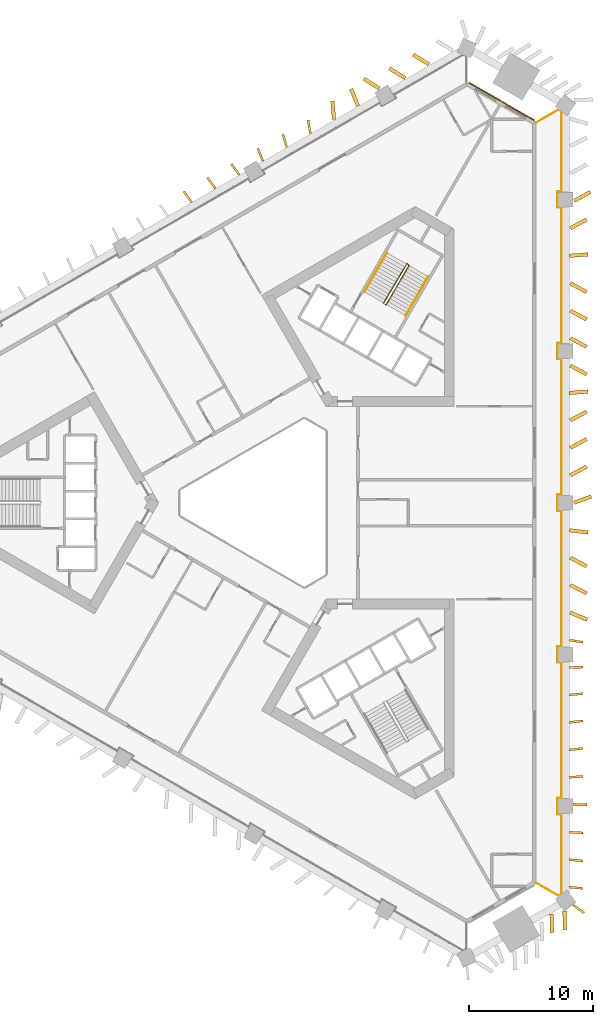
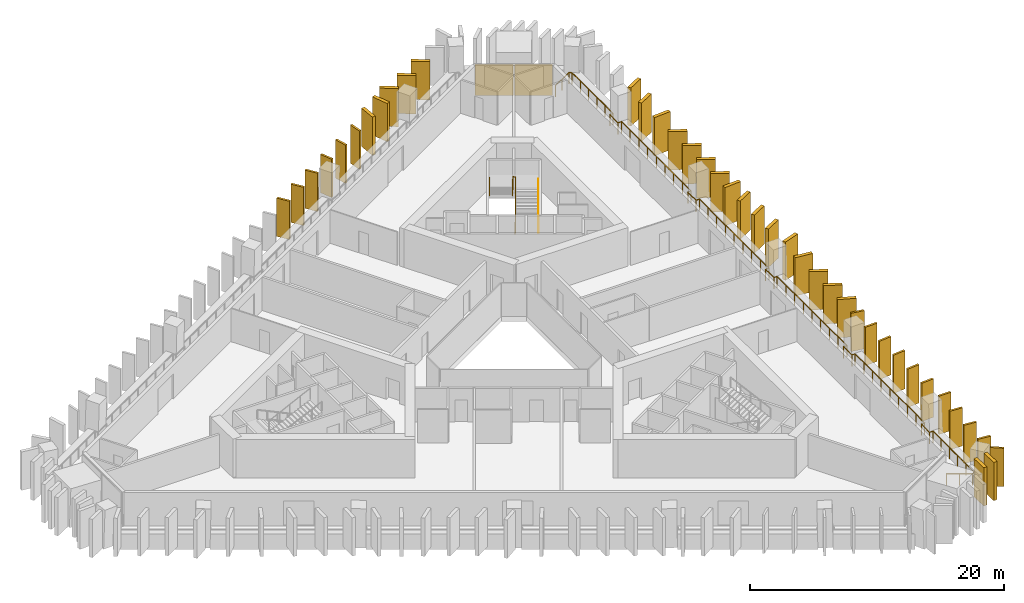
# One storey, part 9 of 10: 40 shading devices, 4 railings, 2 coverings.
"""IFC4 building model written with IfcOpenShell, lengths in metres."""

from ifc_helpers import new_model, si_unit, direction, frame, frame_2d, origin, origin_2d, place, context, subcontext, project, spatial, rectangle, circle, extrude, material, layer, layer_set, type_object, element, save


model = new_model("IFC4")

# Units and contexts
model_context = context("Model", 3, precision=1e-05, world=origin(), true_north=direction((0.0, 1.0)))
body_context = subcontext(model_context, "Body", "Model", "MODEL_VIEW")
ifc_project = project(units=[si_unit("LENGTHUNIT", "METRE"), si_unit("AREAUNIT", "SQUARE_METRE"), si_unit("VOLUMEUNIT", "CUBIC_METRE"), si_unit("PLANEANGLEUNIT", "RADIAN"), si_unit("MASSUNIT", "GRAM", prefix="KILO")], contexts=[model_context])

# Site, building, storey
site_placement = place(None, origin())
site = spatial("IfcSite", under=ifc_project, at=site_placement, CompositionType="ELEMENT")
building_placement = place(site_placement, origin())
building = spatial("IfcBuilding", under=site, at=building_placement, Name="Jabali Bay Hotel Tower and Convention Centre", CompositionType="ELEMENT")
storey_placement = place(building_placement, frame((0.0, 0.0, 37.39990234375)))
storey = spatial("IfcBuildingStorey", under=building, at=storey_placement, Name="L07", CompositionType="ELEMENT", Elevation=37.39990234375)

# Railing
ifc_material_1 = material(Name="Glass", Category="glass")
railing_type_1 = type_object("IfcRailingType", Name="Loggia glass guard 1100", PredefinedType="BALUSTRADE", material=ifc_material_1)
railing_1_placement = place(storey_placement, frame((96.550537109375, 110.75537109375, 0.0)))
element("IfcRailing", 1, at=railing_1_placement, inside=storey, type_object=railing_type_1, Name="Loggia glass guard L07", PredefinedType="BALUSTRADE", context=body_context, shape_type="SweptSolid", body=[
    extrude(circle(Radius=0.02490234375, at=origin_2d()), frame((0.0, 0.0, 1.0751953125), z_axis=(0.866057052383, 0.499945179012, 0.0), x_axis=(-0.4956680787, 0.858647814242, 0.13052619222)), (0.0, 0.0, 1.0), 2.055908203125),
    extrude(circle(Radius=0.02490234375, at=origin_2d()), frame((1.780517578125, 1.02783203125, 1.0751953125), z_axis=(0.802670572918, -0.596422628152, 0.0), x_axis=(0.591320149889, 0.795803614895, 0.13052619222)), (0.0, 0.0, 1.0), 0.2734375),
    extrude(circle(Radius=0.02490234375, at=origin_2d()), frame((2.0, 0.86474609375, 1.0751953125), z_axis=(0.0, -1.0, 0.0), x_axis=(0.991444861374, 0.0, 0.13052619222)), (0.0, 0.0, 1.0), 6.44775390625),
    extrude(circle(Radius=0.02490234375, at=origin_2d()), frame((2.0, -5.5830078125, 1.0751953125), z_axis=(-1.0, 0.0, 0.0), x_axis=(0.0, -0.991444861374, 0.13052619222)), (0.0, 0.0, 1.0), 0.300048828125),
    extrude(circle(Radius=0.02490234375, at=origin_2d()), frame((1.699951171875, -5.5830078125, 1.0751953125), z_axis=(0.0, -1.0, 0.0), x_axis=(0.991444861374, 0.0, 0.13052619222)), (0.0, 0.0, 1.0), 1.300048828125),
    extrude(circle(Radius=0.02490234375, at=origin_2d()), frame((1.699951171875, -6.883056640625, 1.0751953125), z_axis=(1.0, 0.0, 0.0), x_axis=(0.0, 0.991444861374, 0.13052619222)), (0.0, 0.0, 1.0), 0.300048828125),
    extrude(circle(Radius=0.02490234375, at=origin_2d()), frame((2.0, -6.883056640625, 1.0751953125), z_axis=(0.0, -1.0, 0.0), x_axis=(0.991444861374, 0.0, 0.13052619222)), (0.0, 0.0, 1.0), 10.961181640625),
    extrude(circle(Radius=0.02490234375, at=origin_2d()), frame((2.0, -17.84423828125, 1.0751953125), z_axis=(-1.0, 0.0, 0.0), x_axis=(0.0, -0.991444861374, 0.13052619222)), (0.0, 0.0, 1.0), 0.300048828125),
    extrude(circle(Radius=0.02490234375, at=origin_2d()), frame((1.699951171875, -17.84423828125, 1.0751953125), z_axis=(0.0, -1.0, 0.0), x_axis=(0.991444861374, 0.0, 0.13052619222)), (0.0, 0.0, 1.0), 1.300048828125),
    extrude(circle(Radius=0.02490234375, at=origin_2d()), frame((1.699951171875, -19.144287109375, 1.0751953125), z_axis=(1.0, 0.0, 0.0), x_axis=(0.0, 0.991444861374, 0.13052619222)), (0.0, 0.0, 1.0), 0.300048828125),
    extrude(circle(Radius=0.02490234375, at=origin_2d()), frame((2.0, -19.144287109375, 1.0751953125), z_axis=(0.0, -1.0, 0.0), x_axis=(0.991444861374, 0.0, 0.13052619222)), (0.0, 0.0, 1.0), 10.961181640625),
    extrude(circle(Radius=0.02490234375, at=origin_2d()), frame((2.0, -30.10546875, 1.0751953125), z_axis=(-1.0, 0.0, 0.0), x_axis=(0.0, -0.991444861374, 0.13052619222)), (0.0, 0.0, 1.0), 0.300048828125),
    extrude(circle(Radius=0.02490234375, at=origin_2d()), frame((1.699951171875, -30.10546875, 1.0751953125), z_axis=(0.0, -1.0, 0.0), x_axis=(0.991444861374, 0.0, 0.13052619222)), (0.0, 0.0, 1.0), 1.2998046875),
    extrude(circle(Radius=0.02490234375, at=origin_2d()), frame((1.699951171875, -31.4052734375, 1.0751953125), z_axis=(1.0, 0.0, 0.0), x_axis=(0.0, 0.991444861374, 0.13052619222)), (0.0, 0.0, 1.0), 0.300048828125),
    extrude(circle(Radius=0.02490234375, at=origin_2d()), frame((2.0, -31.4052734375, 1.0751953125), z_axis=(0.0, -1.0, 0.0), x_axis=(0.991444861374, 0.0, 0.13052619222)), (0.0, 0.0, 1.0), 10.961181640625),
    extrude(circle(Radius=0.02490234375, at=origin_2d()), frame((2.0, -42.366455078125, 1.0751953125), z_axis=(-1.0, 0.0, 0.0), x_axis=(0.0, -0.991444861374, 0.13052619222)), (0.0, 0.0, 1.0), 0.300048828125),
    extrude(circle(Radius=0.02490234375, at=origin_2d()), frame((1.699951171875, -42.366455078125, 1.0751953125), z_axis=(0.0, -1.0, 0.0), x_axis=(0.991444861374, 0.0, 0.13052619222)), (0.0, 0.0, 1.0), 1.300048828125),
    extrude(circle(Radius=0.02490234375, at=origin_2d()), frame((1.699951171875, -43.66650390625, 1.0751953125), z_axis=(1.0, 0.0, 0.0), x_axis=(0.0, 0.991444861374, 0.13052619222)), (0.0, 0.0, 1.0), 0.300048828125),
    extrude(circle(Radius=0.02490234375, at=origin_2d()), frame((2.0, -43.66650390625, 1.0751953125), z_axis=(0.0, -1.0, 0.0), x_axis=(0.991444861374, 0.0, 0.13052619222)), (0.0, 0.0, 1.0), 10.961181640625),
    extrude(circle(Radius=0.02490234375, at=origin_2d()), frame((2.0, -54.627685546875, 1.0751953125), z_axis=(-1.0, 0.0, 0.0), x_axis=(0.0, -0.991444861374, 0.13052619222)), (0.0, 0.0, 1.0), 0.300048828125),
    extrude(circle(Radius=0.02490234375, at=origin_2d()), frame((1.699951171875, -54.627685546875, 1.0751953125), z_axis=(0.0, -1.0, 0.0), x_axis=(0.991444861374, 0.0, 0.13052619222)), (0.0, 0.0, 1.0), 1.300048828125),
    extrude(circle(Radius=0.02490234375, at=origin_2d()), frame((1.699951171875, -55.927734375, 1.0751953125), z_axis=(1.0, 0.0, 0.0), x_axis=(0.0, 0.991444861374, 0.13052619222)), (0.0, 0.0, 1.0), 0.300048828125),
    extrude(circle(Radius=0.02490234375, at=origin_2d()), frame((2.0, -55.927734375, 1.0751953125), z_axis=(0.0, -1.0, 0.0), x_axis=(0.991444861374, 0.0, 0.13052619222)), (0.0, 0.0, 1.0), 6.44775390625),
    extrude(circle(Radius=0.02490234375, at=origin_2d()), frame((2.0, -62.37548828125, 1.0751953125), z_axis=(-0.802670572918, -0.596422628152, 0.0), x_axis=(0.591320149889, -0.795803614895, 0.13052619222)), (0.0, 0.0, 1.0), 0.2734375),
    extrude(circle(Radius=0.02490234375, at=origin_2d()), frame((1.780517578125, -62.53857421875, 1.0751953125), z_axis=(-0.866057052383, 0.499945179012, 0.0), x_axis=(-0.4956680787, -0.858647814242, 0.13052619222)), (0.0, 0.0, 1.0), 2.055908203125),
    extrude(circle(Radius=0.02001953125, at=origin_2d()), origin(), (0.0, 0.0, 1.0), 1.050048828125),
    extrude(circle(Radius=0.02001953125, at=origin_2d()), frame((0.89013671875, 0.513916015625, 0.0)), (0.0, 0.0, 1.0), 1.050048828125),
    extrude(circle(Radius=0.02001953125, at=origin_2d()), frame((1.780517578125, 1.02783203125, 0.0)), (0.0, 0.0, 1.0), 1.050048828125),
    extrude(circle(Radius=0.02001953125, at=origin_2d()), frame((2.0, 0.86474609375, 0.0)), (0.0, 0.0, 1.0), 1.050048828125),
    extrude(circle(Radius=0.02001953125, at=origin_2d()), frame((2.0, -0.4248046875, 0.0)), (0.0, 0.0, 1.0), 1.050048828125),
    extrude(circle(Radius=0.02001953125, at=origin_2d()), frame((2.0, -1.71435546875, 0.0)), (0.0, 0.0, 1.0), 1.050048828125),
    extrude(circle(Radius=0.02001953125, at=origin_2d()), frame((2.0, -3.00390625, 0.0)), (0.0, 0.0, 1.0), 1.050048828125),
    extrude(circle(Radius=0.02001953125, at=origin_2d()), frame((2.0, -4.29345703125, 0.0)), (0.0, 0.0, 1.0), 1.050048828125),
    extrude(circle(Radius=0.02001953125, at=origin_2d()), frame((2.0, -5.5830078125, 0.0)), (0.0, 0.0, 1.0), 1.050048828125),
    extrude(circle(Radius=0.02001953125, at=origin_2d()), frame((1.699951171875, -5.5830078125, 0.0)), (0.0, 0.0, 1.0), 1.050048828125),
    extrude(circle(Radius=0.02001953125, at=origin_2d()), frame((1.699951171875, -6.883056640625, 0.0)), (0.0, 0.0, 1.0), 1.050048828125),
    extrude(circle(Radius=0.02001953125, at=origin_2d()), frame((2.0, -6.883056640625, 0.0)), (0.0, 0.0, 1.0), 1.050048828125),
    extrude(circle(Radius=0.02001953125, at=origin_2d()), frame((2.0, -8.253173828125, 0.0)), (0.0, 0.0, 1.0), 1.050048828125),
    extrude(circle(Radius=0.02001953125, at=origin_2d()), frame((2.0, -9.623291015625, 0.0)), (0.0, 0.0, 1.0), 1.050048828125),
    extrude(circle(Radius=0.02001953125, at=origin_2d()), frame((2.0, -10.993408203125, 0.0)), (0.0, 0.0, 1.0), 1.050048828125),
    extrude(circle(Radius=0.02001953125, at=origin_2d()), frame((2.0, -12.36376953125, 0.0)), (0.0, 0.0, 1.0), 1.050048828125),
    extrude(circle(Radius=0.02001953125, at=origin_2d()), frame((2.0, -13.73388671875, 0.0)), (0.0, 0.0, 1.0), 1.050048828125),
    extrude(circle(Radius=0.02001953125, at=origin_2d()), frame((2.0, -15.10400390625, 0.0)), (0.0, 0.0, 1.0), 1.050048828125),
    extrude(circle(Radius=0.02001953125, at=origin_2d()), frame((2.0, -16.47412109375, 0.0)), (0.0, 0.0, 1.0), 1.050048828125),
    extrude(circle(Radius=0.02001953125, at=origin_2d()), frame((2.0, -17.84423828125, 0.0)), (0.0, 0.0, 1.0), 1.050048828125),
    extrude(circle(Radius=0.02001953125, at=origin_2d()), frame((1.699951171875, -17.84423828125, 0.0)), (0.0, 0.0, 1.0), 1.050048828125),
    extrude(circle(Radius=0.02001953125, at=origin_2d()), frame((1.699951171875, -19.144287109375, 0.0)), (0.0, 0.0, 1.0), 1.050048828125),
    extrude(circle(Radius=0.02001953125, at=origin_2d()), frame((2.0, -19.144287109375, 0.0)), (0.0, 0.0, 1.0), 1.050048828125),
    extrude(circle(Radius=0.02001953125, at=origin_2d()), frame((2.0, -20.514404296875, 0.0)), (0.0, 0.0, 1.0), 1.050048828125),
    extrude(circle(Radius=0.02001953125, at=origin_2d()), frame((2.0, -21.884521484375, 0.0)), (0.0, 0.0, 1.0), 1.050048828125),
    extrude(circle(Radius=0.02001953125, at=origin_2d()), frame((2.0, -23.254638671875, 0.0)), (0.0, 0.0, 1.0), 1.050048828125),
    extrude(circle(Radius=0.02001953125, at=origin_2d()), frame((2.0, -24.625, 0.0)), (0.0, 0.0, 1.0), 1.050048828125),
    extrude(circle(Radius=0.02001953125, at=origin_2d()), frame((2.0, -25.9951171875, 0.0)), (0.0, 0.0, 1.0), 1.050048828125),
    extrude(circle(Radius=0.02001953125, at=origin_2d()), frame((2.0, -27.365234375, 0.0)), (0.0, 0.0, 1.0), 1.050048828125),
    extrude(circle(Radius=0.02001953125, at=origin_2d()), frame((2.0, -28.7353515625, 0.0)), (0.0, 0.0, 1.0), 1.050048828125),
    extrude(circle(Radius=0.02001953125, at=origin_2d()), frame((2.0, -30.10546875, 0.0)), (0.0, 0.0, 1.0), 1.050048828125),
    extrude(circle(Radius=0.02001953125, at=origin_2d()), frame((1.699951171875, -30.10546875, 0.0)), (0.0, 0.0, 1.0), 1.050048828125),
    extrude(circle(Radius=0.02001953125, at=origin_2d()), frame((1.699951171875, -31.4052734375, 0.0)), (0.0, 0.0, 1.0), 1.050048828125),
    extrude(circle(Radius=0.02001953125, at=origin_2d()), frame((2.0, -31.4052734375, 0.0)), (0.0, 0.0, 1.0), 1.050048828125),
    extrude(circle(Radius=0.02001953125, at=origin_2d()), frame((2.0, -32.775390625, 0.0)), (0.0, 0.0, 1.0), 1.050048828125),
    extrude(circle(Radius=0.02001953125, at=origin_2d()), frame((2.0, -34.1455078125, 0.0)), (0.0, 0.0, 1.0), 1.050048828125),
    extrude(circle(Radius=0.02001953125, at=origin_2d()), frame((2.0, -35.515625, 0.0)), (0.0, 0.0, 1.0), 1.050048828125),
    extrude(circle(Radius=0.02001953125, at=origin_2d()), frame((2.0, -36.8857421875, 0.0)), (0.0, 0.0, 1.0), 1.050048828125),
    extrude(circle(Radius=0.02001953125, at=origin_2d()), frame((2.0, -38.256103515625, 0.0)), (0.0, 0.0, 1.0), 1.050048828125),
    extrude(circle(Radius=0.02001953125, at=origin_2d()), frame((2.0, -39.626220703125, 0.0)), (0.0, 0.0, 1.0), 1.050048828125),
    extrude(circle(Radius=0.02001953125, at=origin_2d()), frame((2.0, -40.996337890625, 0.0)), (0.0, 0.0, 1.0), 1.050048828125),
    extrude(circle(Radius=0.02001953125, at=origin_2d()), frame((2.0, -42.366455078125, 0.0)), (0.0, 0.0, 1.0), 1.050048828125),
    extrude(circle(Radius=0.02001953125, at=origin_2d()), frame((1.699951171875, -42.366455078125, 0.0)), (0.0, 0.0, 1.0), 1.050048828125),
    extrude(circle(Radius=0.02001953125, at=origin_2d()), frame((1.699951171875, -43.66650390625, 0.0)), (0.0, 0.0, 1.0), 1.050048828125),
    extrude(circle(Radius=0.02001953125, at=origin_2d()), frame((2.0, -43.66650390625, 0.0)), (0.0, 0.0, 1.0), 1.050048828125),
    extrude(circle(Radius=0.02001953125, at=origin_2d()), frame((2.0, -45.03662109375, 0.0)), (0.0, 0.0, 1.0), 1.050048828125),
    extrude(circle(Radius=0.02001953125, at=origin_2d()), frame((2.0, -46.40673828125, 0.0)), (0.0, 0.0, 1.0), 1.050048828125),
    extrude(circle(Radius=0.02001953125, at=origin_2d()), frame((2.0, -47.77685546875, 0.0)), (0.0, 0.0, 1.0), 1.050048828125),
    extrude(circle(Radius=0.02001953125, at=origin_2d()), frame((2.0, -49.14697265625, 0.0)), (0.0, 0.0, 1.0), 1.050048828125),
    extrude(circle(Radius=0.02001953125, at=origin_2d()), frame((2.0, -50.517333984375, 0.0)), (0.0, 0.0, 1.0), 1.050048828125),
    extrude(circle(Radius=0.02001953125, at=origin_2d()), frame((2.0, -51.887451171875, 0.0)), (0.0, 0.0, 1.0), 1.050048828125),
    extrude(circle(Radius=0.02001953125, at=origin_2d()), frame((2.0, -53.257568359375, 0.0)), (0.0, 0.0, 1.0), 1.050048828125),
    extrude(circle(Radius=0.02001953125, at=origin_2d()), frame((2.0, -54.627685546875, 0.0)), (0.0, 0.0, 1.0), 1.050048828125),
    extrude(circle(Radius=0.02001953125, at=origin_2d()), frame((1.699951171875, -54.627685546875, 0.0)), (0.0, 0.0, 1.0), 1.050048828125),
    extrude(circle(Radius=0.02001953125, at=origin_2d()), frame((1.699951171875, -55.927734375, 0.0)), (0.0, 0.0, 1.0), 1.050048828125),
    extrude(circle(Radius=0.02001953125, at=origin_2d()), frame((2.0, -55.927734375, 0.0)), (0.0, 0.0, 1.0), 1.050048828125),
    extrude(circle(Radius=0.02001953125, at=origin_2d()), frame((2.0, -57.21728515625, 0.0)), (0.0, 0.0, 1.0), 1.050048828125),
    extrude(circle(Radius=0.02001953125, at=origin_2d()), frame((2.0, -58.5068359375, 0.0)), (0.0, 0.0, 1.0), 1.050048828125),
    extrude(circle(Radius=0.02001953125, at=origin_2d()), frame((2.0, -59.79638671875, 0.0)), (0.0, 0.0, 1.0), 1.050048828125),
    extrude(circle(Radius=0.02001953125, at=origin_2d()), frame((2.0, -61.0859375, 0.0)), (0.0, 0.0, 1.0), 1.050048828125),
    extrude(circle(Radius=0.02001953125, at=origin_2d()), frame((2.0, -62.37548828125, 0.0)), (0.0, 0.0, 1.0), 1.050048828125),
    extrude(circle(Radius=0.02001953125, at=origin_2d()), frame((1.780517578125, -62.53857421875, 0.0)), (0.0, 0.0, 1.0), 1.050048828125),
    extrude(circle(Radius=0.02001953125, at=origin_2d()), frame((0.89013671875, -62.024658203125, 0.0)), (0.0, 0.0, 1.0), 1.050048828125),
    extrude(circle(Radius=0.02001953125, at=origin_2d()), frame((0.0, -61.5107421875, 0.0)), (0.0, 0.0, 1.0), 1.050048828125),
])

# Shading devices
ifc_material_2 = material(Name="Precast concrete C60", Category="concrete")
ifc_layer_1 = layer(ifc_material_2, 0.179931640625)
ifc_layer_set_1 = layer_set([ifc_layer_1], Name="Precast concrete C60")
shading_device_type_1 = type_object("IfcShadingDeviceType", Name="Precast fin 3680 x 1100", PredefinedType="USERDEFINED", material=ifc_layer_set_1)
for number, where, z_axis, x_axis, name in (
    (2, (99.201904296875, 48.939453125, 0.010009765625), (0.0, 0.0, 1.0), (0.994999762239, -0.099877290432, 0.0), "Fin L07 000"),
    (3, (99.201904296875, 51.158203125, 0.010009765625), (0.0, 0.0, 1.0), (0.995111617178, -0.098756616781, 0.0), "Fin L07 001"),
    (4, (99.197998046875, 53.376708984375, 0.010009765625), (0.0, 0.0, 1.0), (0.99848416118, -0.055039802617, 0.0), "Fin L07 002"),
    (5, (99.5009765625, 55.59521484375, 0.010009765625), (0.0, 0.0, 1.0), (0.999982048388, 0.005991903086, 0.0), "Fin L07 003"),
    (6, (99.198974609375, 57.81396484375, 0.010009765625), (0.0, 0.0, 1.0), (0.997810616468, 0.066136023956, 0.0), "Fin L07 004"),
    (7, (99.202392578125, 60.032470703125, 0.010009765625), (0.0, 0.0, 1.0), (0.994451817499, 0.105193073308, 0.0), "Fin L07 005"),
    (8, (99.203125, 62.251220703125, 0.010009765625), (0.0, 0.0, 1.0), (0.993599028713, 0.112964464064, 0.0), "Fin L07 006"),
):
    element("IfcShadingDevice", number, at=place(storey_placement, frame(where, z_axis=z_axis, x_axis=x_axis)), inside=storey, type_object=shading_device_type_1, Name=name, ObjectType="FIN", PredefinedType="USERDEFINED", context=body_context, shape_type="SweptSolid", body=[
        extrude(rectangle(XDim=1.10009765625, YDim=0.179931640625, at=frame_2d((0.550048828125, 0.0))), origin(), (0.0, 0.0, 1.0), 3.68017578125),
    ])
shading_device_1_placement = place(storey_placement, frame((99.202392578125, 64.4697265625, 0.010009765625), z_axis=(0.0, 0.0, 1.0), x_axis=(0.994567303329, 0.104095528958, 0.0)))
element("IfcShadingDevice", 9, at=shading_device_1_placement, inside=storey, type_object=shading_device_type_1, Name="Fin L07 007", ObjectType="FIN", PredefinedType="USERDEFINED", context=body_context, shape_type="SweptSolid", body=[
    extrude(rectangle(XDim=1.099853515625, YDim=0.179931640625, at=frame_2d((0.5498046875, 0.0))), origin(), (0.0, 0.0, 1.0), 3.68017578125),
])
for number, where, z_axis, x_axis, name in (
    (10, (99.195556640625, 66.6884765625, 0.010009765625), (0.0, 0.0, 1.0), (0.999583716981, 0.028851217408, 0.0), "Fin L07 008"),
    (11, (99.207763671875, 68.906982421875, 0.010009765625), (0.0, 0.0, 1.0), (0.986459822312, -0.164003106567, 0.0), "Fin L07 009"),
    (12, (78.2587890625, 109.85302734375, 0.010009765625), (0.0, 0.0, 1.0), (-0.169327222279, 0.985559887473, 0.0), "Fin L07 044"),
    (13, (76.342529296875, 108.7353515625, 0.010009765625), (0.0, 0.0, 1.0), (-0.280724255453, 0.959788462319, 0.0), "Fin L07 045"),
    (14, (74.42578125, 107.61767578125, 0.010009765625), (0.0, 0.0, 1.0), (-0.382613140595, 0.923908645183, 0.0), "Fin L07 046"),
):
    element("IfcShadingDevice", number, at=place(storey_placement, frame(where, z_axis=z_axis, x_axis=x_axis)), inside=storey, type_object=shading_device_type_1, Name=name, ObjectType="FIN", PredefinedType="USERDEFINED", context=body_context, shape_type="SweptSolid", body=[
        extrude(rectangle(XDim=1.10009765625, YDim=0.179931640625, at=frame_2d((0.550048828125, 0.0))), origin(), (0.0, 0.0, 1.0), 3.68017578125),
    ])
shading_device_2_placement = place(storey_placement, frame((72.505859375, 106.506103515625, 0.010009765625), z_axis=(0.0, 0.0, 1.0), x_axis=(-0.583357005213, 0.812215860759, 0.0)))
element("IfcShadingDevice", 15, at=shading_device_2_placement, inside=storey, type_object=shading_device_type_1, Name="Fin L07 047", ObjectType="FIN", PredefinedType="USERDEFINED", context=body_context, shape_type="SweptSolid", body=[
    extrude(rectangle(XDim=1.099853515625, YDim=0.179931640625, at=frame_2d((0.5498046875, 0.0))), origin(), (0.0, 0.0, 1.0), 3.68017578125),
])
shading_device_3_placement = place(storey_placement, frame((70.583984375, 105.3974609375, 0.010009765625), z_axis=(0.0, 0.0, 1.0), x_axis=(-0.591228956285, 0.806503763941, 0.0)))
element("IfcShadingDevice", 16, at=shading_device_3_placement, inside=storey, type_object=shading_device_type_1, Name="Fin L07 048", ObjectType="FIN", PredefinedType="USERDEFINED", context=body_context, shape_type="SweptSolid", body=[
    extrude(rectangle(XDim=1.10009765625, YDim=0.179931640625, at=frame_2d((0.550048828125, 0.0))), origin(), (0.0, 0.0, 1.0), 3.68017578125),
])
for number, where, z_axis, x_axis, name in (
    (17, (68.662841796875, 104.287841796875, 0.010009765625), (0.0, 0.0, 1.0), (-0.586956658058, 0.809618355499, 0.0), "Fin L07 049"),
    (18, (99.4921875, 47.48876953125, 0.010009765625), (0.0, 0.0, 1.0), (0.81174900704, -0.584006463637, 0.0), "Fin L07 114"),
):
    element("IfcShadingDevice", number, at=place(storey_placement, frame(where, z_axis=z_axis, x_axis=x_axis)), inside=storey, type_object=shading_device_type_1, Name=name, ObjectType="FIN", PredefinedType="USERDEFINED", context=body_context, shape_type="SweptSolid", body=[
        extrude(rectangle(XDim=1.099853515625, YDim=0.179931640625, at=frame_2d((0.5498046875, 0.0))), origin(), (0.0, 0.0, 1.0), 3.68017578125),
    ])
ifc_layer_2 = layer(ifc_material_2, 0.300048828125)
ifc_layer_set_2 = layer_set([ifc_layer_2], Name="Precast concrete C60")
shading_device_type_2 = type_object("IfcShadingDeviceType", Name="Precast fin 3680 x 1500", PredefinedType="USERDEFINED", material=ifc_layer_set_2)
for number, where, z_axis, x_axis, name in (
    (19, (99.2509765625, 71.12548828125, 0.010009765625), (0.0, 0.0, 1.0), (0.922536684859, -0.385909400106, 0.0), "Fin L07 010"),
    (20, (99.259765625, 73.34423828125, 0.010009765625), (0.0, 0.0, 1.0), (0.895369234118, -0.445324527277, 0.0), "Fin L07 011"),
    (21, (99.26318359375, 75.562744140625, 0.010009765625), (0.0, 0.0, 1.0), (0.884108388534, -0.467281882084, 0.0), "Fin L07 012"),
):
    element("IfcShadingDevice", number, at=place(storey_placement, frame(where, z_axis=z_axis, x_axis=x_axis)), inside=storey, type_object=shading_device_type_2, Name=name, ObjectType="FIN", PredefinedType="USERDEFINED", context=body_context, shape_type="SweptSolid", body=[
        extrude(rectangle(XDim=1.5, YDim=0.300048828125, at=frame_2d((0.75, 0.0))), origin(), (0.0, 0.0, 1.0), 3.68017578125),
    ])
shading_device_4_placement = place(storey_placement, frame((99.21142578125, 77.781494140625, 0.010009765625), z_axis=(0.0, 0.0, 1.0), x_axis=(0.992402557705, -0.123033180325, 0.0)))
element("IfcShadingDevice", 22, at=shading_device_4_placement, inside=storey, type_object=shading_device_type_2, Name="Fin L07 013", ObjectType="FIN", PredefinedType="USERDEFINED", context=body_context, shape_type="SweptSolid", body=[
    extrude(rectangle(XDim=1.500244140625, YDim=0.300048828125, at=frame_2d((0.75, 0.0))), origin(), (0.0, 0.0, 1.0), 3.68017578125),
])
for number, where, z_axis, x_axis, name in (
    (23, (99.551513671875, 80.0, 0.010009765625), (0.0, 0.0, 1.0), (0.940248781717, 0.340488220764, 0.0), "Fin L07 014"),
    (24, (99.264404296875, 82.218505859375, 0.010009765625), (0.0, 0.0, 1.0), (0.87916129866, 0.476524302569, 0.0), "Fin L07 015"),
    (25, (99.264404296875, 84.437255859375, 0.010009765625), (0.0, 0.0, 1.0), (0.879056132781, 0.476718276785, 0.0), "Fin L07 016"),
    (26, (99.264404296875, 86.65576171875, 0.010009765625), (0.0, 0.0, 1.0), (0.879056132781, 0.476718276785, 0.0), "Fin L07 017"),
    (27, (99.20458984375, 88.87451171875, 0.010009765625), (0.0, 0.0, 1.0), (0.997032424719, 0.076982751696, 0.0), "Fin L07 018"),
    (28, (99.264404296875, 91.093017578125, 0.010009765625), (0.0, 0.0, 1.0), (0.879056132781, -0.476718276785, 0.0), "Fin L07 019"),
    (29, (99.264404296875, 93.3115234375, 0.010009765625), (0.0, 0.0, 1.0), (0.879056132781, -0.476718276785, 0.0), "Fin L07 020"),
    (30, (99.264404296875, 95.5302734375, 0.010009765625), (0.0, 0.0, 1.0), (0.879056132781, -0.476718276785, 0.0), "Fin L07 021"),
    (31, (99.264404296875, 97.748779296875, 0.010009765625), (0.0, 0.0, 1.0), (0.879056132781, -0.476718276785, 0.0), "Fin L07 022"),
    (32, (99.20361328125, 99.967529296875, 0.010009765625), (0.0, 0.0, 1.0), (0.997479311155, 0.070957901724, 0.0), "Fin L07 023"),
    (33, (99.264404296875, 102.18603515625, 0.010009765625), (0.0, 0.0, 1.0), (0.879056132781, 0.476718276785, 0.0), "Fin L07 024"),
):
    element("IfcShadingDevice", number, at=place(storey_placement, frame(where, z_axis=z_axis, x_axis=x_axis)), inside=storey, type_object=shading_device_type_2, Name=name, ObjectType="FIN", PredefinedType="USERDEFINED", context=body_context, shape_type="SweptSolid", body=[
        extrude(rectangle(XDim=1.5, YDim=0.300048828125, at=frame_2d((0.75, 0.0))), origin(), (0.0, 0.0, 1.0), 3.68017578125),
    ])
for number, where, z_axis, x_axis, name in (
    (34, (99.572021484375, 104.40478515625, 0.010009765625), (0.0, 0.0, 1.0), (0.879019136399, 0.476786490836, 0.0), "Fin L07 025"),
    (35, (87.845458984375, 115.4345703125, 0.010009765625), (0.0, 0.0, 1.0), (-0.85213302163, 0.523325246331, 0.0), "Fin L07 039"),
):
    element("IfcShadingDevice", number, at=place(storey_placement, frame(where, z_axis=z_axis, x_axis=x_axis)), inside=storey, type_object=shading_device_type_2, Name=name, ObjectType="FIN", PredefinedType="USERDEFINED", context=body_context, shape_type="SweptSolid", body=[
        extrude(rectangle(XDim=1.499755859375, YDim=0.300048828125, at=frame_2d((0.75, 0.0))), origin(), (0.0, 0.0, 1.0), 3.68017578125),
    ])
for number, where, z_axis, x_axis, name in (
    (36, (85.92431640625, 114.3251953125, 0.010009765625), (0.0, 0.0, 1.0), (-0.851680668122, 0.524061102876, 0.0), "Fin L07 040"),
    (37, (83.849365234375, 113.481689453125, 0.010009765625), (0.0, 0.0, 1.0), (-0.849640166198, 0.527362861778, 0.0), "Fin L07 041"),
    (38, (82.1064453125, 112.063232421875, 0.010009765625), (0.0, 0.0, 1.0), (-0.371923819109, 0.928263256183, 0.0), "Fin L07 042"),
):
    element("IfcShadingDevice", number, at=place(storey_placement, frame(where, z_axis=z_axis, x_axis=x_axis)), inside=storey, type_object=shading_device_type_2, Name=name, ObjectType="FIN", PredefinedType="USERDEFINED", context=body_context, shape_type="SweptSolid", body=[
        extrude(rectangle(XDim=1.5, YDim=0.300048828125, at=frame_2d((0.75, 0.0))), origin(), (0.0, 0.0, 1.0), 3.68017578125),
    ])
shading_device_5_placement = place(storey_placement, frame((80.163818359375, 110.990966796875, 0.010009765625), z_axis=(0.0, 0.0, 1.0), x_axis=(-0.083018536688, 0.996548003142, 0.0)))
element("IfcShadingDevice", 39, at=shading_device_5_placement, inside=storey, type_object=shading_device_type_2, Name="Fin L07 043", ObjectType="FIN", PredefinedType="USERDEFINED", context=body_context, shape_type="SweptSolid", body=[
    extrude(rectangle(XDim=1.499755859375, YDim=0.300048828125, at=frame_2d((0.75, 0.0))), origin(), (0.0, 0.0, 1.0), 3.68017578125),
])
shading_device_6_placement = place(storey_placement, frame((97.747802734375, 46.7509765625, 0.010009765625), z_axis=(0.0, 0.0, 1.0), x_axis=(0.026691886703, -0.99964370812, 0.0)))
element("IfcShadingDevice", 40, at=shading_device_6_placement, inside=storey, type_object=shading_device_type_2, Name="Fin L07 112", ObjectType="FIN", PredefinedType="USERDEFINED", context=body_context, shape_type="SweptSolid", body=[
    extrude(rectangle(XDim=1.5, YDim=0.300048828125, at=frame_2d((0.75, 0.0))), origin(), (0.0, 0.0, 1.0), 3.68017578125),
])
shading_device_7_placement = place(storey_placement, frame((98.79296875, 46.991455078125, 0.010009765625), z_axis=(0.0, 0.0, 1.0), x_axis=(0.026533563174, -0.999647923034, 0.0)))
element("IfcShadingDevice", 41, at=shading_device_7_placement, inside=storey, type_object=shading_device_type_2, Name="Fin L07 113", ObjectType="FIN", PredefinedType="USERDEFINED", context=body_context, shape_type="SweptSolid", body=[
    extrude(rectangle(XDim=1.499755859375, YDim=0.300048828125, at=frame_2d((0.75, 0.0))), origin(), (0.0, 0.0, 1.0), 3.68017578125),
])

# Coverings
ifc_material_3 = material(Name="Precast concrete C40/50", Category="concrete")
ifc_layer_3 = layer(ifc_material_3, 0.080078125)
ifc_layer_set_3 = layer_set([ifc_layer_3], Name="Precast concrete C40/50")
covering_type = type_object("IfcCoveringType", Name="Relief panel 3000 x 3000", PredefinedType="CLADDING", material=ifc_layer_set_3)
for number, where, z_axis, x_axis, name in (
    (42, (92.38525390625, 113.206298828125, 0.10009765625), (0.0, 0.0, 1.0), (0.866025465028, -0.499999893923, 0.0), "Relief panel L07"),
    (43, (95.06494140625, 111.6591796875, 0.10009765625), (0.0, 0.0, 1.0), (0.866025465028, -0.499999893923, 0.0), "Relief panel L07"),
):
    element("IfcCovering", number, at=place(storey_placement, frame(where, z_axis=z_axis, x_axis=x_axis)), inside=storey, type_object=covering_type, Name=name, PredefinedType="CLADDING", context=body_context, shape_type="SweptSolid", body=[
        extrude(rectangle(XDim=3.0, YDim=0.080078125, at=origin_2d()), origin(), (0.0, 0.0, 1.0), 3.0),
    ])

# Railings
ifc_material_4 = material(Name="Steel Q355B", Category="steel")
railing_type_2 = type_object("IfcRailingType", Name="Stair guard 1100", PredefinedType="GUARDRAIL", material=ifc_material_4)
railing_2_placement = place(storey_placement, frame((84.329833984375, 96.010009765625, 0.0)))
element("IfcRailing", 44, at=railing_2_placement, inside=storey, type_object=railing_type_2, Name="L07 ST2 stair guard 1", PredefinedType="GUARDRAIL", context=body_context, shape_type="SweptSolid", body=[
    extrude(circle(Radius=0.02392578125, at=origin_2d()), frame((0.0, 0.0, 1.076171875), z_axis=(0.455547195254, 0.122021570157, 0.88180921367), x_axis=(-0.258736085224, 0.965948051503, 0.0)), (0.0, 0.0, 1.0), 0.150146484375),
    extrude(circle(Radius=0.02392578125, at=origin_2d()), frame((0.068359375, 0.018310546875, 1.20849609375), z_axis=(0.452190331055, 0.783190014029, 0.426775475427), x_axis=(-0.866018046521, 0.500012742938, 0.0)), (0.0, 0.0, 1.0), 4.02490234375),
    extrude(circle(Radius=0.02392578125, at=origin_2d()), frame((1.888427734375, 3.170654296875, 2.92626953125), z_axis=(-0.718850276695, 0.695164929852, 0.0), x_axis=(-0.695164929852, -0.718850276695, 0.0)), (0.0, 0.0, 1.0), 0.2060546875),
    extrude(circle(Radius=0.02392578125, at=origin_2d()), frame((1.740234375, 3.31396484375, 2.92626953125), z_axis=(-0.457445338502, -0.768046879266, 0.448160410493), x_axis=(0.859157857954, -0.511710636118, 0.0)), (0.0, 0.0, 1.0), 4.128173828125),
    extrude(circle(Radius=0.02099609375, at=origin_2d()), origin(), (0.0, 0.0, 1.0), 1.052001953125),
    extrude(circle(Radius=0.02099609375, at=origin_2d()), frame((0.068359375, 0.018310546875, 0.13232421875)), (0.0, 0.0, 1.0), 1.052001953125),
    extrude(circle(Radius=0.02099609375, at=origin_2d()), frame((0.5234375, 0.806396484375, 0.561767578125)), (0.0, 0.0, 1.0), 1.052001953125),
    extrude(circle(Radius=0.02099609375, at=origin_2d()), frame((0.978515625, 1.594482421875, 0.9912109375)), (0.0, 0.0, 1.0), 1.052001953125),
    extrude(circle(Radius=0.02099609375, at=origin_2d()), frame((1.433349609375, 2.382568359375, 1.420654296875)), (0.0, 0.0, 1.0), 1.052001953125),
    extrude(circle(Radius=0.02099609375, at=origin_2d()), frame((1.888427734375, 3.170654296875, 1.85009765625)), (0.0, 0.0, 1.0), 1.052001953125),
    extrude(circle(Radius=0.02099609375, at=origin_2d()), frame((1.740234375, 3.31396484375, 1.85009765625)), (0.0, 0.0, 1.0), 1.052001953125),
    extrude(circle(Radius=0.02099609375, at=origin_2d()), frame((1.26806640625, 2.521240234375, 2.3125)), (0.0, 0.0, 1.0), 1.052001953125),
    extrude(circle(Radius=0.02099609375, at=origin_2d()), frame((0.7958984375, 1.728515625, 2.775146484375)), (0.0, 0.0, 1.0), 1.052001953125),
    extrude(circle(Radius=0.02099609375, at=origin_2d()), frame((0.323974609375, 0.93603515625, 3.23779296875)), (0.0, 0.0, 1.0), 1.052001953125),
    extrude(circle(Radius=0.02099609375, at=origin_2d()), frame((-0.148193359375, 0.143310546875, 3.7001953125)), (0.0, 0.0, 1.0), 1.052001953125),
])
railing_type_3 = type_object("IfcRailingType", Name="Stair handrail 900", PredefinedType="HANDRAIL", material=ifc_material_4)
railing_3_placement = place(storey_placement, frame((85.95703125, 95.128173828125, 0.13232421875)))
element("IfcRailing", 45, at=railing_3_placement, inside=storey, type_object=railing_type_3, Name="L07 ST2 stair handrail 1", PredefinedType="HANDRAIL", context=body_context, shape_type="SweptSolid", body=[
    extrude(circle(Radius=0.02392578125, at=origin_2d()), frame((0.0, 0.0, 0.8759765625), z_axis=(0.452190331055, 0.783190014029, 0.426775475427), x_axis=(-0.866018046521, 0.500012742938, 0.0)), (0.0, 0.0, 1.0), 4.02490234375),
    extrude(circle(Radius=0.02099609375, at=origin_2d()), origin(), (0.0, 0.0, 1.0), 0.851806640625),
    extrude(circle(Radius=0.02099609375, at=origin_2d()), frame((0.455078125, 0.7880859375, 0.429443359375)), (0.0, 0.0, 1.0), 0.851806640625),
    extrude(circle(Radius=0.02099609375, at=origin_2d()), frame((0.91015625, 1.576171875, 0.85888671875)), (0.0, 0.0, 1.0), 0.851806640625),
    extrude(circle(Radius=0.02099609375, at=origin_2d()), frame((1.364990234375, 2.3642578125, 1.288330078125)), (0.0, 0.0, 1.0), 0.851806640625),
    extrude(circle(Radius=0.02099609375, at=origin_2d()), frame((1.820068359375, 3.15234375, 1.7177734375)), (0.0, 0.0, 1.0), 0.851806640625),
])
railing_4_placement = place(storey_placement, frame((84.44287109375, 100.20556640625, 1.982177734375)))
element("IfcRailing", 46, at=railing_4_placement, inside=storey, type_object=railing_type_3, Name="L07 ST2 stair handrail 2", PredefinedType="HANDRAIL", context=body_context, shape_type="SweptSolid", body=[
    extrude(circle(Radius=0.02392578125, at=origin_2d()), frame((0.0, 0.0, 0.8759765625), z_axis=(-0.45217862506, -0.783169739339, 0.426825081763), x_axis=(0.866018046521, -0.500012742938, 0.0)), (0.0, 0.0, 1.0), 4.025146484375),
    extrude(circle(Radius=0.02099609375, at=origin_2d()), origin(), (0.0, 0.0, 1.0), 0.851806640625),
    extrude(circle(Radius=0.02099609375, at=origin_2d()), frame((-0.455078125, -0.7880859375, 0.429443359375)), (0.0, 0.0, 1.0), 0.851806640625),
    extrude(circle(Radius=0.02099609375, at=origin_2d()), frame((-0.91015625, -1.576171875, 0.85888671875)), (0.0, 0.0, 1.0), 0.851806640625),
    extrude(circle(Radius=0.02099609375, at=origin_2d()), frame((-1.364990234375, -2.3642578125, 1.28857421875)), (0.0, 0.0, 1.0), 0.851806640625),
    extrude(circle(Radius=0.02099609375, at=origin_2d()), frame((-1.820068359375, -3.15234375, 1.718017578125)), (0.0, 0.0, 1.0), 0.851806640625),
])

save(model, "model.ifc")
